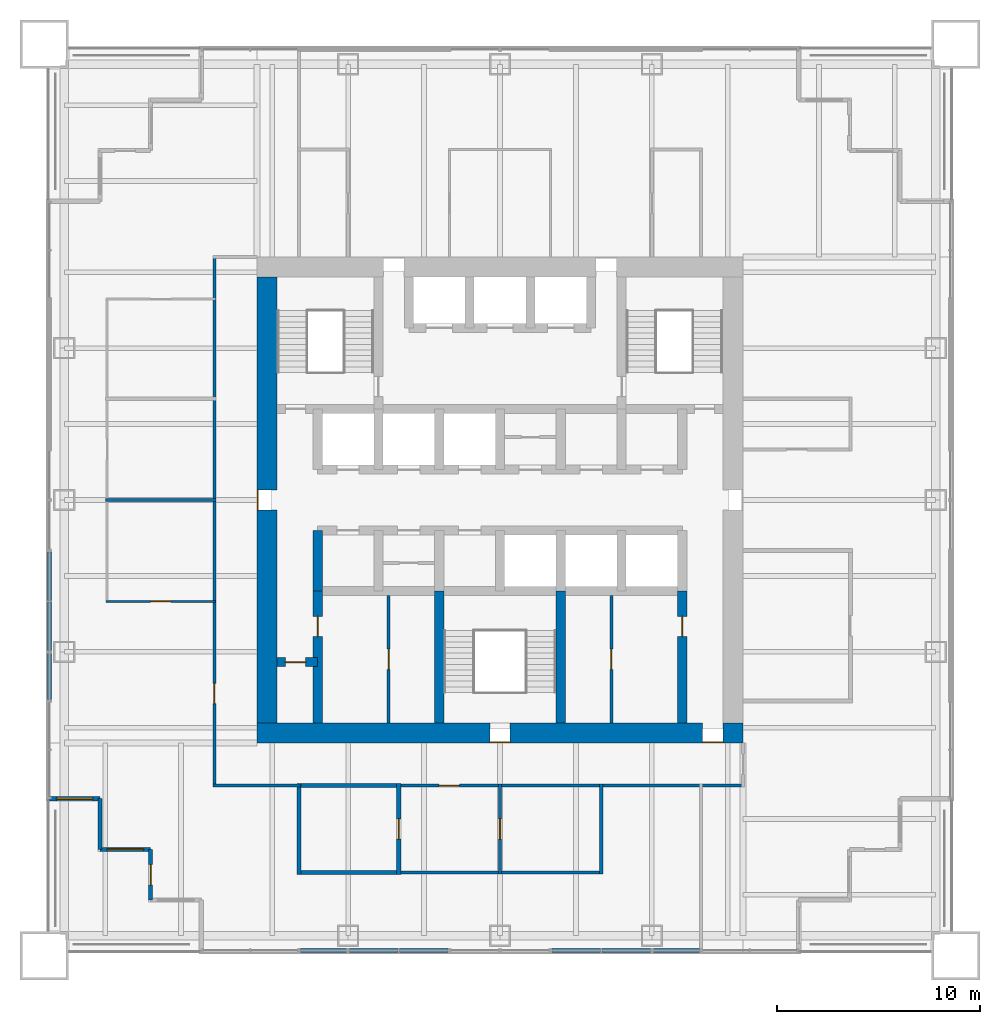
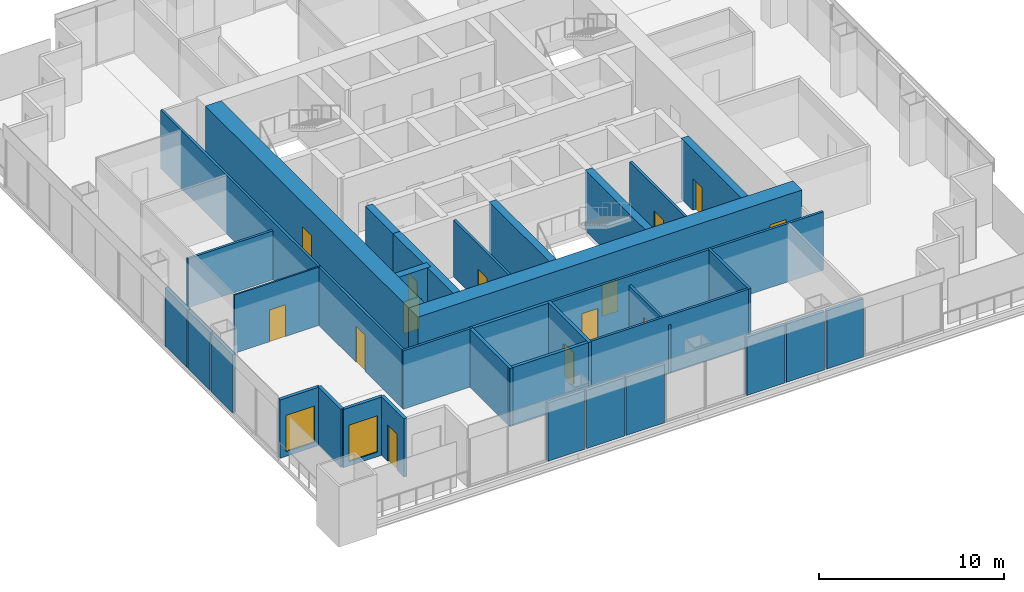
# One storey, part 8 of 13: 35 walls, 14 doors, 2 windows, 16 openings.
"""IFC4 building model written with IfcOpenShell, lengths in metres."""

import ifcopenshell
import ifcopenshell.guid

model = None  # the IFC model being written
_history = None  # IfcOwnerHistory: only IFC2X3 demands one
_inside = {}  # id of a spatial element -> (the spatial element, [elements in it])
_under = {}  # id of a project, library or spatial element -> (it, [spatial elements below it])
_declared = {}  # id of a project -> (the project, [libraries it declares])
_typed = {}  # id of a type object -> (the type object, [elements of that type])
_made_of = {}  # id of a material, layer set ... -> (it, [elements and type objects made of it])


def new_model(schema):
    """Start an empty IFC model of exactly this schema.

    Asked for "IFC4X3", IfcOpenShell would pick the latest addendum, in which some entities
    have other attributes; the version numbers below select the first issue.
    IFC2X3 requires an IfcOwnerHistory on every rooted entity: one is made here for all.
    """
    global model, _history
    if schema == "IFC4X3":
        model = ifcopenshell.file(schema_version=(4, 3, 0, 0))
    else:
        model = ifcopenshell.file(schema=schema)
    _inside.clear()
    _under.clear()
    _declared.clear()
    _typed.clear()
    _made_of.clear()
    _history = None
    if model.schema == "IFC2X3":
        org = make("IfcOrganization", Name="unknown")
        user = make(
            "IfcPersonAndOrganization",
            ThePerson=make("IfcPerson", FamilyName="unknown"),
            TheOrganization=org,
        )
        app = make(
            "IfcApplication",
            ApplicationDeveloper=org,
            Version="unknown",
            ApplicationFullName="unknown",
            ApplicationIdentifier="unknown",
        )
        _history = make(
            "IfcOwnerHistory",
            OwningUser=user,
            OwningApplication=app,
            ChangeAction="ADDED",
            CreationDate=0,
        )
    return model


def make(cls, **values):
    """One entity of the class cls with the attributes given. An attribute that is None is left unset."""
    return model.create_entity(
        cls, **{name: value for name, value in values.items() if value is not None}
    )


def rooted(cls, **values):
    """An entity with a GlobalId (a new one), such as an element, a storey or a relation."""
    return make(cls, GlobalId=ifcopenshell.guid.new(), OwnerHistory=_history, **values)


def si_unit(unit_type, name, prefix=None):
    """IfcSIUnit, for example si_unit("LENGTHUNIT", "METRE", prefix="MILLI")."""
    return make("IfcSIUnit", UnitType=unit_type, Prefix=prefix, Name=name)


def assignment(units):
    """IfcUnitAssignment: the units of a project."""
    return None if units is None else make("IfcUnitAssignment", Units=units)


def point(xyz):
    """IfcCartesianPoint."""
    return None if xyz is None else make("IfcCartesianPoint", Coordinates=xyz)


def direction(xyz):
    """IfcDirection."""
    return None if xyz is None else make("IfcDirection", DirectionRatios=xyz)


def frame(location, z_axis=None, x_axis=None):
    """IfcAxis2Placement3D, a coordinate frame: its origin and axes. An axis left out is left unset."""
    return make(
        "IfcAxis2Placement3D",
        Location=point(location),
        Axis=direction(z_axis),
        RefDirection=direction(x_axis),
    )


def frame_2d(location, x_axis=None):
    """IfcAxis2Placement2D, a coordinate frame in the plane: its origin and x axis."""
    return make(
        "IfcAxis2Placement2D", Location=point(location), RefDirection=direction(x_axis)
    )


def origin():
    """The frame at (0, 0, 0) with its axes left unset."""
    return frame((0.0, 0.0, 0.0))


def place(relative_to, where):
    """IfcLocalPlacement: puts the frame where relative to a parent placement (None: the world)."""
    return make(
        "IfcLocalPlacement", PlacementRelTo=relative_to, RelativePlacement=where
    )


def context(
    kind, dimensions, precision=None, world=None, true_north=None, identifier=None
):
    """IfcGeometricRepresentationContext, for example the 3D "Model" context."""
    return make(
        "IfcGeometricRepresentationContext",
        ContextIdentifier=identifier,
        ContextType=kind,
        CoordinateSpaceDimension=dimensions,
        Precision=precision,
        WorldCoordinateSystem=world,
        TrueNorth=true_north,
    )


def subcontext(parent, identifier, kind, view, scale=None):
    """IfcGeometricRepresentationSubContext, for example "Body" below "Model"."""
    return make(
        "IfcGeometricRepresentationSubContext",
        ContextIdentifier=identifier,
        ContextType=kind,
        ParentContext=parent,
        TargetScale=scale,
        TargetView=view,
    )


def project(units=None, contexts=None):
    """IfcProject with its units and contexts."""
    return rooted(
        "IfcProject",
        Name="project",
        RepresentationContexts=contexts,
        UnitsInContext=assignment(units),
    )


def spatial(cls, under=None, at=None, **own):
    """A site, building, storey or space (cls), placed at a placement, below another one or the project."""
    s = rooted(cls, ObjectPlacement=at, **own)
    if under is not None:
        _under.setdefault(under.id(), (under, []))[1].append(s)
    return s


def profile(cls, at=None, kind="AREA", **sizes):
    """A parametric profile (cls). Its sizes go by their IFC names, for example OverallWidth=200.0."""
    return make(cls, ProfileType=kind, Position=at, **sizes)


def rectangle(**sizes):
    """IfcRectangleProfileDef."""
    return profile("IfcRectangleProfileDef", **sizes)


def extrude(swept, where, along, depth):
    """IfcExtrudedAreaSolid: the profile swept, set in the frame where, extruded along a direction by depth."""
    return make(
        "IfcExtrudedAreaSolid",
        SweptArea=swept,
        Position=where,
        ExtrudedDirection=direction(along),
        Depth=depth,
    )


def shape(context_of_items, identifier, shape_type, items):
    """IfcShapeRepresentation: the items that make up one representation, for example the "Body"."""
    return make(
        "IfcShapeRepresentation",
        ContextOfItems=context_of_items,
        RepresentationIdentifier=identifier,
        RepresentationType=shape_type,
        Items=items,
    )


def material(Name=None, Category=None):
    """IfcMaterial."""
    return make("IfcMaterial", Name=Name, Category=Category)


def layer(
    of_material, thickness, ventilated=None, Name=None, Category=None, Priority=None
):
    """IfcMaterialLayer: one layer of a wall or slab, of a material (None: an air gap)."""
    return make(
        "IfcMaterialLayer",
        Material=of_material,
        LayerThickness=thickness,
        IsVentilated=ventilated,
        Name=Name,
        Category=Category,
        Priority=Priority,
    )


def layer_set(layers, Name=None):
    """IfcMaterialLayerSet."""
    return make("IfcMaterialLayerSet", MaterialLayers=layers, LayerSetName=Name)


def made_of(thing, what):
    """Note that an element or type object is made of a material, layer set ...; save() writes the relation."""
    if what is not None:
        _made_of.setdefault(what.id(), (what, []))[1].append(thing)
    return thing


def type_object(cls, material=None, **own):
    """A type object (cls), such as IfcWallType, which elements share."""
    return made_of(rooted(cls, **own), material)


def element(
    cls,
    number,
    at=None,
    inside=None,
    cuts=None,
    type_object=None,
    material=None,
    context=None,
    identifier="Body",
    shape_type=None,
    held_by="IfcProductDefinitionShape",
    body=None,
    shapes=None,
    **own,
):
    """One element of the class cls, such as IfcWall. Its Tag is "e" and its number.

    at: its placement. inside: the storey or other place that contains it. cuts: it is an
    opening in that element (IfcRelVoidsElement). A single representation is given by context,
    identifier, shape_type and body (its items); several are given by shapes. held_by: the class
    of the entity that holds the representations. save() writes the other relations.
    """
    e = rooted(cls, Tag="e%d" % number, ObjectPlacement=at, **own)
    if body is not None:
        shapes = [shape(context, identifier, shape_type, body)]
    if shapes is not None:
        e.Representation = make(held_by, Representations=shapes)
    if inside is not None:
        _inside.setdefault(inside.id(), (inside, []))[1].append(e)
    if cuts is not None:
        rooted(
            "IfcRelVoidsElement", RelatingBuildingElement=cuts, RelatedOpeningElement=e
        )
    if type_object is not None:
        _typed.setdefault(type_object.id(), (type_object, []))[1].append(e)
    return made_of(e, material)


def fill(opening, filler):
    """IfcRelFillsElement: the door or window that sits in an opening."""
    return rooted(
        "IfcRelFillsElement",
        RelatingOpeningElement=opening,
        RelatedBuildingElement=filler,
    )


def aggregate(whole, parts):
    """IfcRelAggregates: a whole, such as a stair, and the parts it consists of."""
    return rooted("IfcRelAggregates", RelatingObject=whole, RelatedObjects=parts)


def save(model, path):
    """Write the relations noted so far, then the file.

    IfcRelAggregates (storeys below a building ...), IfcRelContainedInSpatialStructure (elements
    in a storey), IfcRelDefinesByType, IfcRelAssociatesMaterial and IfcRelDeclares: one each for
    every whole, place, type object, material and project.
    """
    for whole, parts in _under.values():
        aggregate(whole, parts)
    for where, things in _inside.values():
        rooted(
            "IfcRelContainedInSpatialStructure",
            RelatedElements=things,
            RelatingStructure=where,
        )
    for kind, things in _typed.values():
        rooted("IfcRelDefinesByType", RelatedObjects=things, RelatingType=kind)
    for what, things in _made_of.values():
        rooted("IfcRelAssociatesMaterial", RelatedObjects=things, RelatingMaterial=what)
    for by, libraries in _declared.values():
        rooted("IfcRelDeclares", RelatingContext=by, RelatedDefinitions=libraries)
    model.write(path)


model = new_model("IFC4")

# Units and contexts
model_context = context("Model", 3, precision=1e-05, world=origin(), true_north=direction((0.0, 1.0)))
body_context = subcontext(model_context, "Body", "Model", "MODEL_VIEW")
ifc_project = project(units=[si_unit("LENGTHUNIT", "METRE"), si_unit("AREAUNIT", "SQUARE_METRE"), si_unit("VOLUMEUNIT", "CUBIC_METRE"), si_unit("PLANEANGLEUNIT", "RADIAN"), si_unit("MASSUNIT", "GRAM", prefix="KILO")], contexts=[model_context])

# Site, building, storey
site_placement = place(None, origin())
site = spatial("IfcSite", under=ifc_project, at=site_placement, CompositionType="ELEMENT")
building_placement = place(site_placement, origin())
building = spatial("IfcBuilding", under=site, at=building_placement, Name="Tarangal Relay Tower", CompositionType="ELEMENT")
storey_placement = place(building_placement, frame((0.0, 0.0, 237.89990234375)))
storey = spatial("IfcBuildingStorey", under=building, at=storey_placement, Name="L51", CompositionType="ELEMENT", Elevation=237.89990234375)

# Walls
ifc_material_1 = material(Name="Two layers gypsum board each side on twin steel studs, mineral wool", Category="steel")
ifc_layer_1 = layer(ifc_material_1, 0.199951171875)
ifc_layer_set_1 = layer_set([ifc_layer_1], Name="Acoustic partition 200")
wall_type_1 = type_object("IfcWallType", Name="Acoustic partition 200", PredefinedType="PARTITIONING", material=ifc_layer_set_1)
for number, where, z_axis, x_axis, name in (
    (1, (-10.01708984375, -18.39990234375, 0.0), (0.0, 0.0, 1.0), (1.0, 0.0, 0.0), "Partition PT2 L51"),
    (2, (-10.01708984375, -14.10009765625, 0.0), (0.0, 0.0, 1.0), (1.0, 0.0, 0.0), "Partition PT2 L51"),
):
    element("IfcWall", number, at=place(storey_placement, frame(where, z_axis=z_axis, x_axis=x_axis)), inside=storey, type_object=wall_type_1, Name=name, PredefinedType="PARTITIONING", context=body_context, shape_type="SweptSolid", body=[
        extrude(rectangle(XDim=5.1171875, YDim=0.199951171875, at=frame_2d((2.55859375, 0.0))), origin(), (0.0, 0.0, 1.0), 3.85009765625),
    ])
wall_1_placement = place(storey_placement, frame((-9.9169921875, -18.5, 0.0), z_axis=(0.0, 0.0, 1.0), x_axis=(0.0, 1.0, 0.0)))
element("IfcWall", 3, at=wall_1_placement, inside=storey, type_object=wall_type_1, Name="Partition PT2 L51", PredefinedType="PARTITIONING", context=body_context, shape_type="SweptSolid", body=[
    extrude(rectangle(XDim=4.5, YDim=0.199951171875, at=frame_2d((2.25, 0.0))), origin(), (0.0, 0.0, 1.0), 3.85009765625),
])

# Wall, opening, door
wall_2_placement = place(storey_placement, frame((-5.0, -18.5, 0.0), z_axis=(0.0, 0.0, 1.0), x_axis=(0.0, 1.0, 0.0)))
wall_2 = element("IfcWall", 4, at=wall_2_placement, inside=storey, type_object=wall_type_1, Name="Partition PT2 L51", PredefinedType="PARTITIONING", context=body_context, shape_type="SweptSolid", body=[
    extrude(rectangle(XDim=4.5, YDim=0.199951171875, at=frame_2d((2.25, 0.0))), origin(), (0.0, 0.0, 1.0), 3.85009765625),
])
opening_1_placement = place(wall_2_placement, frame((1.75, 0.0, 0.0)))
opening_1 = element("IfcOpeningElement", 5, at=opening_1_placement, cuts=wall_2, Name="Opening D2", PredefinedType="OPENING", context=body_context, shape_type="SweptSolid", body=[
    extrude(rectangle(XDim=1.0, YDim=2.10009765625, at=frame_2d((0.5, 1.050048828125))), frame((0.0, 0.10986328125, 0.0), z_axis=(0.0, -1.0, 0.0), x_axis=(1.0, 0.0, 0.0)), (0.0, 0.0, 1.0), 0.219970703125),
])
ifc_material_2 = material(Name="Hardwood door", Category="wood")
door_type_1 = type_object("IfcDoorType", Name="Door 1000 x 2100", OperationType="SINGLE_SWING_LEFT", PredefinedType="DOOR", material=ifc_material_2)
door_1_placement = place(opening_1_placement, origin())
door_1 = element("IfcDoor", 6, at=door_1_placement, inside=storey, type_object=door_type_1, Name="Door D2 to quiet room L51-09", OperationType="SINGLE_SWING_LEFT", OverallHeight=2.10009765625, OverallWidth=1.0, PredefinedType="DOOR", context=body_context, shape_type="SweptSolid", body=[
    extrude(rectangle(XDim=1.0, YDim=2.10009765625, at=frame_2d((0.5, 1.050048828125))), frame((0.0, 0.02490234375, 0.0), z_axis=(0.0, -1.0, 0.0), x_axis=(1.0, 0.0, 0.0)), (0.0, 0.0, 1.0), 0.050048828125),
])
fill(opening_1, door_1)

ifc_material_3 = material(Name="Concrete fc' 60 MPa", Category="concrete")
ifc_layer_2 = layer(ifc_material_3, 0.449951171875)
ifc_layer_set_2 = layer_set([ifc_layer_2], Name="Core inner wall 450")
wall_type_2 = type_object("IfcWallType", Name="Core inner wall 450", PredefinedType="SHEAR", material=ifc_layer_set_2)
wall_3_placement = place(storey_placement, frame((-11.0, -8.0, 0.0), z_axis=(0.0, 0.0, 1.0), x_axis=(1.0, 0.0, 0.0)))
wall_3 = element("IfcWall", 7, at=wall_3_placement, inside=storey, type_object=wall_type_2, Name="Core wall YM8 L51", PredefinedType="SHEAR", context=body_context, shape_type="SweptSolid", body=[
    extrude(rectangle(XDim=2.0, YDim=0.449951171875, at=frame_2d((1.0, 0.0))), origin(), (0.0, 0.0, 1.0), 4.0),
])
opening_2_placement = place(wall_3_placement, frame((0.39990234375, 0.0, 0.0)))
opening_2 = element("IfcOpeningElement", 8, at=opening_2_placement, cuts=wall_3, Name="Opening D1", PredefinedType="OPENING", context=body_context, shape_type="SweptSolid", body=[
    extrude(rectangle(XDim=1.0, YDim=2.10009765625, at=frame_2d((0.5, 1.050048828125))), frame((0.0, 0.23486328125, 0.0), z_axis=(0.0, -1.0, 0.0), x_axis=(1.0, 0.0, 0.0)), (0.0, 0.0, 1.0), 0.469970703125),
])
door_type_2 = type_object("IfcDoorType", Name="WC door 1000 x 2100", OperationType="SINGLE_SWING_LEFT", PredefinedType="DOOR", material=ifc_material_2)
door_2_placement = place(opening_2_placement, origin())
door_2 = element("IfcDoor", 9, at=door_2_placement, inside=storey, type_object=door_type_2, Name="Accessible WC door L51", OperationType="SINGLE_SWING_LEFT", OverallHeight=2.10009765625, OverallWidth=1.0, PredefinedType="DOOR", context=body_context, shape_type="SweptSolid", body=[
    extrude(rectangle(XDim=1.0, YDim=2.10009765625, at=frame_2d((0.5, 1.050048828125))), frame((0.0, 0.02490234375, 0.0), z_axis=(0.0, -1.0, 0.0), x_axis=(1.0, 0.0, 0.0)), (0.0, 0.0, 1.0), 0.050048828125),
])
fill(opening_2, door_2)

# Wall
wall_4_placement = place(storey_placement, frame((-9.0, -4.5, 0.0), z_axis=(0.0, 0.0, 1.0), x_axis=(0.0, 1.0, 0.0)))
element("IfcWall", 10, at=wall_4_placement, inside=storey, type_object=wall_type_2, Name="Core wall XM9S L51", PredefinedType="SHEAR", context=body_context, shape_type="SweptSolid", body=[
    extrude(rectangle(XDim=3.0, YDim=0.449951171875, at=frame_2d((1.5, 0.0))), origin(), (0.0, 0.0, 1.0), 4.0),
])

# Wall, opening, door
wall_5_placement = place(storey_placement, frame((-9.0, -11.0, 0.0), z_axis=(0.0, 0.0, 1.0), x_axis=(0.0, 1.0, 0.0)))
wall_5 = element("IfcWall", 11, at=wall_5_placement, inside=storey, type_object=wall_type_2, Name="Core wall XM9W L51", PredefinedType="SHEAR", context=body_context, shape_type="SweptSolid", body=[
    extrude(rectangle(XDim=6.5, YDim=0.449951171875, at=frame_2d((3.25, 0.0))), origin(), (0.0, 0.0, 1.0), 4.0),
])
opening_3_placement = place(wall_5_placement, frame((4.25, 0.0, 0.0)))
opening_3 = element("IfcOpeningElement", 12, at=opening_3_placement, cuts=wall_5, Name="Opening D1", PredefinedType="OPENING", context=body_context, shape_type="SweptSolid", body=[
    extrude(rectangle(XDim=1.0, YDim=2.10009765625, at=frame_2d((0.5, 1.050048828125))), frame((0.0, 0.23486328125, 0.0), z_axis=(0.0, -1.0, 0.0), x_axis=(1.0, 0.0, 0.0)), (0.0, 0.0, 1.0), 0.469970703125),
])
door_3_placement = place(opening_3_placement, origin())
door_3 = element("IfcDoor", 13, at=door_3_placement, inside=storey, type_object=door_type_2, Name="Male WC door L51", OperationType="SINGLE_SWING_LEFT", OverallHeight=2.10009765625, OverallWidth=1.0, PredefinedType="DOOR", context=body_context, shape_type="SweptSolid", body=[
    extrude(rectangle(XDim=1.0, YDim=2.10009765625, at=frame_2d((0.5, 1.050048828125))), frame((0.0, 0.02490234375, 0.0), z_axis=(0.0, -1.0, 0.0), x_axis=(1.0, 0.0, 0.0)), (0.0, 0.0, 1.0), 0.050048828125),
])
fill(opening_3, door_3)

wall_6_placement = place(storey_placement, frame((9.0, -11.0, 0.0), z_axis=(0.0, 0.0, 1.0), x_axis=(0.0, 1.0, 0.0)))
wall_6 = element("IfcWall", 14, at=wall_6_placement, inside=storey, type_object=wall_type_2, Name="Core wall X9W L51", PredefinedType="SHEAR", context=body_context, shape_type="SweptSolid", body=[
    extrude(rectangle(XDim=6.5, YDim=0.449951171875, at=frame_2d((3.25, 0.0))), origin(), (0.0, 0.0, 1.0), 4.0),
])
opening_4_placement = place(wall_6_placement, frame((4.25, 0.0, 0.0)))
opening_4 = element("IfcOpeningElement", 15, at=opening_4_placement, cuts=wall_6, Name="Opening D1", PredefinedType="OPENING", context=body_context, shape_type="SweptSolid", body=[
    extrude(rectangle(XDim=1.0, YDim=2.10009765625, at=frame_2d((0.5, 1.050048828125))), frame((0.0, 0.23486328125, 0.0), z_axis=(0.0, -1.0, 0.0), x_axis=(1.0, 0.0, 0.0)), (0.0, 0.0, 1.0), 0.469970703125),
])
door_4_placement = place(opening_4_placement, origin())
door_4 = element("IfcDoor", 16, at=door_4_placement, inside=storey, type_object=door_type_2, Name="Female WC door L51", OperationType="SINGLE_SWING_LEFT", OverallHeight=2.10009765625, OverallWidth=1.0, PredefinedType="DOOR", context=body_context, shape_type="SweptSolid", body=[
    extrude(rectangle(XDim=1.0, YDim=2.10009765625, at=frame_2d((0.5, 1.050048828125))), frame((0.0, 0.02490234375, 0.0), z_axis=(0.0, -1.0, 0.0), x_axis=(1.0, 0.0, 0.0)), (0.0, 0.0, 1.0), 0.050048828125),
])
fill(opening_4, door_4)

# Walls
for number, where, z_axis, x_axis, name in (
    (17, (-3.0, -11.0, 0.0), (0.0, 0.0, 1.0), (0.0, 1.0, 0.0), "Core wall XM3W L51"),
    (18, (3.0, -11.0, 0.0), (0.0, 0.0, 1.0), (0.0, 1.0, 0.0), "Core wall X3W L51"),
):
    element("IfcWall", number, at=place(storey_placement, frame(where, z_axis=z_axis, x_axis=x_axis)), inside=storey, type_object=wall_type_2, Name=name, PredefinedType="SHEAR", context=body_context, shape_type="SweptSolid", body=[
        extrude(rectangle(XDim=6.5, YDim=0.449951171875, at=frame_2d((3.25, 0.0))), origin(), (0.0, 0.0, 1.0), 4.0),
    ])

# Wall, openings, doors
ifc_layer_3 = layer(ifc_material_3, 1.0)
ifc_layer_set_3 = layer_set([ifc_layer_3], Name="Core wall 1000")
wall_type_3 = type_object("IfcWallType", Name="Core wall 1000", PredefinedType="SHEAR", material=ifc_layer_set_3)
wall_7_placement = place(storey_placement, frame((12.0, -11.5, 0.0), z_axis=(0.0, 0.0, 1.0), x_axis=(-1.0, 0.0, 0.0)))
wall_7 = element("IfcWall", 19, at=wall_7_placement, inside=storey, type_object=wall_type_3, Name="Core wall S L51", PredefinedType="SHEAR", context=body_context, shape_type="SweptSolid", body=[
    extrude(rectangle(XDim=24.0, YDim=1.0, at=frame_2d((12.0, 0.0))), origin(), (0.0, 0.0, 1.0), 4.0),
])
opening_5_placement = place(wall_7_placement, frame((11.5, 0.0, 0.0)))
opening_5 = element("IfcOpeningElement", 20, at=opening_5_placement, cuts=wall_7, Name="Opening FD1", PredefinedType="OPENING", context=body_context, shape_type="SweptSolid", body=[
    extrude(rectangle(XDim=1.0, YDim=2.10009765625, at=frame_2d((0.5, 1.050048828125))), frame((0.0, 0.510009765625, 0.0), z_axis=(0.0, -1.0, 0.0), x_axis=(1.0, 0.0, 0.0)), (0.0, 0.0, 1.0), 1.02001953125),
])
opening_6_placement = place(wall_7_placement, frame((1.0, 0.0, 0.0)))
opening_6 = element("IfcOpeningElement", 21, at=opening_6_placement, cuts=wall_7, Name="Opening FD3", PredefinedType="OPENING", context=body_context, shape_type="SweptSolid", body=[
    extrude(rectangle(XDim=1.0, YDim=2.39990234375, at=frame_2d((0.5, 1.199951171875))), frame((0.0, 0.510009765625, 0.0), z_axis=(0.0, -1.0, 0.0), x_axis=(1.0, 0.0, 0.0)), (0.0, 0.0, 1.0), 1.02001953125),
])
ifc_material_4 = material(Name="Steel door with hardwood frame", Category="steel")
door_type_3 = type_object("IfcDoorType", Name="Fire door 1000 x 2100", OperationType="SINGLE_SWING_LEFT", PredefinedType="DOOR", material=ifc_material_4)
door_5_placement = place(opening_5_placement, origin())
door_5 = element("IfcDoor", 22, at=door_5_placement, inside=storey, type_object=door_type_3, Name="Stair ST-C door L51", OperationType="SINGLE_SWING_LEFT", OverallHeight=2.10009765625, OverallWidth=1.0, PredefinedType="DOOR", context=body_context, shape_type="SweptSolid", body=[
    extrude(rectangle(XDim=1.0, YDim=2.10009765625, at=frame_2d((0.5, 1.050048828125))), frame((0.0, 0.48486328125, 0.0), z_axis=(0.0, -1.0, 0.0), x_axis=(1.0, 0.0, 0.0)), (0.0, 0.0, 1.0), 0.050048828125),
])
fill(opening_5, door_5)
door_type_4 = type_object("IfcDoorType", Name="Fire door 1000 x 2400 core entry", OperationType="SINGLE_SWING_RIGHT", PredefinedType="DOOR", material=ifc_material_4)
door_6_placement = place(opening_6_placement, origin())
door_6 = element("IfcDoor", 23, at=door_6_placement, inside=storey, type_object=door_type_4, Name="Core entry door south east L51", OperationType="SINGLE_SWING_RIGHT", OverallHeight=2.39990234375, OverallWidth=1.0, PredefinedType="DOOR", context=body_context, shape_type="SweptSolid", body=[
    extrude(rectangle(XDim=1.0, YDim=2.39990234375, at=frame_2d((0.5, 1.199951171875))), frame((0.0, 0.48486328125, 0.0), z_axis=(0.0, -1.0, 0.0), x_axis=(1.0, 0.0, 0.0)), (0.0, 0.0, 1.0), 0.050048828125),
])
fill(opening_6, door_6)

# Wall, opening, door
wall_8_placement = place(storey_placement, frame((-11.5, -11.0, 0.0), z_axis=(0.0, 0.0, 1.0), x_axis=(0.0, 1.0, 0.0)))
wall_8 = element("IfcWall", 24, at=wall_8_placement, inside=storey, type_object=wall_type_3, Name="Core wall W L51", PredefinedType="SHEAR", context=body_context, shape_type="SweptSolid", body=[
    extrude(rectangle(XDim=22.0, YDim=1.0, at=frame_2d((11.0, 0.0))), origin(), (0.0, 0.0, 1.0), 4.0),
])
opening_7_placement = place(wall_8_placement, frame((10.5, 0.0, 0.0)))
opening_7 = element("IfcOpeningElement", 25, at=opening_7_placement, cuts=wall_8, Name="Opening FD3", PredefinedType="OPENING", context=body_context, shape_type="SweptSolid", body=[
    extrude(rectangle(XDim=1.0, YDim=2.39990234375, at=frame_2d((0.5, 1.199951171875))), frame((0.0, 0.510009765625, 0.0), z_axis=(0.0, -1.0, 0.0), x_axis=(1.0, 0.0, 0.0)), (0.0, 0.0, 1.0), 1.02001953125),
])
door_7_placement = place(opening_7_placement, origin())
door_7 = element("IfcDoor", 26, at=door_7_placement, inside=storey, type_object=door_type_4, Name="Core entry door west L51", OperationType="SINGLE_SWING_RIGHT", OverallHeight=2.39990234375, OverallWidth=1.0, PredefinedType="DOOR", context=body_context, shape_type="SweptSolid", body=[
    extrude(rectangle(XDim=1.0, YDim=2.39990234375, at=frame_2d((0.5, 1.199951171875))), frame((0.0, 0.48486328125, 0.0), z_axis=(0.0, -1.0, 0.0), x_axis=(1.0, 0.0, 0.0)), (0.0, 0.0, 1.0), 0.050048828125),
])
fill(opening_7, door_7)

ifc_material_5 = material(Name="Black metal clad insulated wall", Category="steel")
ifc_layer_4 = layer(ifc_material_5, 0.199951171875)
ifc_layer_set_4 = layer_set([ifc_layer_4], Name="Corner wall metal clad 200")
wall_type_4 = type_object("IfcWallType", Name="Corner wall metal clad 200", PredefinedType="SOLIDWALL", material=ifc_layer_set_4)
wall_9_placement = place(storey_placement, frame((-17.25, -19.75, 0.0), z_axis=(0.0, 0.0, 1.0), x_axis=(0.0, 1.0, 0.0)))
wall_9 = element("IfcWall", 27, at=wall_9_placement, inside=storey, type_object=wall_type_4, Name="Facade wall S facade L51", PredefinedType="SOLIDWALL", context=body_context, shape_type="SweptSolid", body=[
    extrude(rectangle(XDim=2.5, YDim=0.199951171875, at=frame_2d((1.25, 0.0))), origin(), (0.0, 0.0, 1.0), 3.85009765625),
])
opening_8_placement = place(wall_9_placement, frame((0.75, 0.0, 0.0)))
opening_8 = element("IfcOpeningElement", 28, at=opening_8_placement, cuts=wall_9, Name="Opening TD1", PredefinedType="OPENING", context=body_context, shape_type="SweptSolid", body=[
    extrude(rectangle(XDim=1.0, YDim=2.39990234375, at=frame_2d((0.5, 1.199951171875))), frame((0.0, 0.10986328125, 0.0), z_axis=(0.0, -1.0, 0.0), x_axis=(1.0, 0.0, 0.0)), (0.0, 0.0, 1.0), 0.219970703125),
])
ifc_material_6 = material(Name="Aluminium glazed door", Category="aluminium")
door_type_5 = type_object("IfcDoorType", Name="Terrace door 1000 x 2400", OperationType="SINGLE_SWING_RIGHT", PredefinedType="DOOR", material=ifc_material_6)
door_8_placement = place(opening_8_placement, origin())
door_8 = element("IfcDoor", 29, at=door_8_placement, inside=storey, type_object=door_type_5, Name="Terrace door TD1 SW L51", OperationType="SINGLE_SWING_RIGHT", OverallHeight=2.39990234375, OverallWidth=1.0, PredefinedType="DOOR", context=body_context, shape_type="SweptSolid", body=[
    extrude(rectangle(XDim=1.0, YDim=2.39990234375, at=frame_2d((0.5, 1.199951171875))), frame((0.0, 0.02490234375, 0.0), z_axis=(0.0, -1.0, 0.0), x_axis=(1.0, 0.0, 0.0)), (0.0, 0.0, 1.0), 0.050048828125),
])
fill(opening_8, door_8)

# Wall, opening, window
wall_10_placement = place(storey_placement, frame((-17.25, -17.25, 0.0), z_axis=(0.0, 0.0, 1.0), x_axis=(-1.0, 0.0, 0.0)))
wall_10 = element("IfcWall", 30, at=wall_10_placement, inside=storey, type_object=wall_type_4, Name="Facade wall S facade L51", PredefinedType="SOLIDWALL", context=body_context, shape_type="SweptSolid", body=[
    extrude(rectangle(XDim=2.5, YDim=0.199951171875, at=frame_2d((1.25, 0.0))), origin(), (0.0, 0.0, 1.0), 3.85009765625),
])
opening_9_placement = place(wall_10_placement, frame((0.35009765625, 0.0, 0.300048828125)))
opening_9 = element("IfcOpeningElement", 31, at=opening_9_placement, cuts=wall_10, Name="Opening WN2", PredefinedType="OPENING", context=body_context, shape_type="SweptSolid", body=[
    extrude(rectangle(XDim=1.800048828125, YDim=2.39990234375, at=frame_2d((0.89990234375, 1.199951171875))), frame((0.0, 0.10986328125, 0.0), z_axis=(0.0, -1.0, 0.0), x_axis=(1.0, 0.0, 0.0)), (0.0, 0.0, 1.0), 0.219970703125),
])
ifc_material_7 = material(Name="Dark tinted double glazing in black aluminium frame", Category="aluminium")
window_type = type_object("IfcWindowType", Name="Corner window 1800 x 2400", PartitioningType="SINGLE_PANEL", PredefinedType="WINDOW", material=ifc_material_7)
window_1_placement = place(opening_9_placement, origin())
window_1 = element("IfcWindow", 32, at=window_1_placement, inside=storey, type_object=window_type, Name="Corner window WN2 S facade L51", OverallHeight=2.39990234375, OverallWidth=1.800048828125, PartitioningType="SINGLE_PANEL", PredefinedType="WINDOW", context=body_context, shape_type="SweptSolid", body=[
    extrude(rectangle(XDim=1.800048828125, YDim=2.39990234375, at=frame_2d((0.89990234375, 1.199951171875))), frame((0.0, 0.030029296875, 0.0), z_axis=(0.0, -1.0, 0.0), x_axis=(1.0, 0.0, 0.0)), (0.0, 0.0, 1.0), 0.06005859375),
])
fill(opening_9, window_1)

# Wall
wall_11_placement = place(storey_placement, frame((-19.75, -17.25, 0.0), z_axis=(0.0, 0.0, 1.0), x_axis=(0.0, 1.0, 0.0)))
element("IfcWall", 33, at=wall_11_placement, inside=storey, type_object=wall_type_4, Name="Facade wall S facade L51", PredefinedType="SOLIDWALL", context=body_context, shape_type="SweptSolid", body=[
    extrude(rectangle(XDim=2.5, YDim=0.199951171875, at=frame_2d((1.25, 0.0))), origin(), (0.0, 0.0, 1.0), 3.85009765625),
])

# Wall, opening, window
wall_12_placement = place(storey_placement, frame((-19.75, -14.75, 0.0), z_axis=(0.0, 0.0, 1.0), x_axis=(-1.0, 0.0, 0.0)))
wall_12 = element("IfcWall", 34, at=wall_12_placement, inside=storey, type_object=wall_type_4, Name="Facade wall S facade L51", PredefinedType="SOLIDWALL", context=body_context, shape_type="SweptSolid", body=[
    extrude(rectangle(XDim=2.5, YDim=0.199951171875, at=frame_2d((1.25, 0.0))), origin(), (0.0, 0.0, 1.0), 3.85009765625),
])
opening_10_placement = place(wall_12_placement, frame((0.35009765625, 0.0, 0.300048828125)))
opening_10 = element("IfcOpeningElement", 35, at=opening_10_placement, cuts=wall_12, Name="Opening WN2", PredefinedType="OPENING", context=body_context, shape_type="SweptSolid", body=[
    extrude(rectangle(XDim=1.800048828125, YDim=2.39990234375, at=frame_2d((0.89990234375, 1.199951171875))), frame((0.0, 0.10986328125, 0.0), z_axis=(0.0, -1.0, 0.0), x_axis=(1.0, 0.0, 0.0)), (0.0, 0.0, 1.0), 0.219970703125),
])
window_2_placement = place(opening_10_placement, origin())
window_2 = element("IfcWindow", 36, at=window_2_placement, inside=storey, type_object=window_type, Name="Corner window WN2 S facade L51", OverallHeight=2.39990234375, OverallWidth=1.800048828125, PartitioningType="SINGLE_PANEL", PredefinedType="WINDOW", context=body_context, shape_type="SweptSolid", body=[
    extrude(rectangle(XDim=1.800048828125, YDim=2.39990234375, at=frame_2d((0.89990234375, 1.199951171875))), frame((0.0, 0.030029296875, 0.0), z_axis=(0.0, -1.0, 0.0), x_axis=(1.0, 0.0, 0.0)), (0.0, 0.0, 1.0), 0.06005859375),
])
fill(opening_10, window_2)

# Walls
ifc_layer_5 = layer(ifc_material_5, 0.199951171875)
ifc_layer_set_5 = layer_set([ifc_layer_5], Name="Facade infill wall metal clad 200")
wall_type_5 = type_object("IfcWallType", Name="Facade infill wall metal clad 200", PredefinedType="SOLIDWALL", material=ifc_layer_set_5)
wall_13_placement = place(storey_placement, frame((9.851806640625, -22.25, 0.0), z_axis=(0.0, 0.0, 1.0), x_axis=(-1.0, 0.0, 0.0)))
element("IfcWall", 37, at=wall_13_placement, inside=storey, type_object=wall_type_5, Name="Facade infill wall S facade L51 1.1", PredefinedType="SOLIDWALL", context=body_context, shape_type="SweptSolid", body=[
    extrude(rectangle(XDim=2.286865234375, YDim=0.199951171875, at=frame_2d((1.1435546875, 0.0))), origin(), (0.0, 0.0, 1.0), 3.85009765625),
])
for number, where, z_axis, x_axis, name in (
    (38, (7.43505859375, -22.25, 0.0), (0.0, 0.0, 1.0), (-1.0, 0.0, 0.0), "Facade infill wall S facade L51 1.1"),
    (39, (4.967529296875, -22.25, 0.0), (0.0, 0.0, 1.0), (-1.0, 0.0, 0.0), "Facade infill wall S facade L51 2.1"),
    (40, (-2.56494140625, -22.25, 0.0), (0.0, 0.0, 1.0), (-1.0, 0.0, 0.0), "Facade infill wall S facade L51 1.1"),
    (41, (-5.032470703125, -22.25, 0.0), (0.0, 0.0, 1.0), (-1.0, 0.0, 0.0), "Facade infill wall S facade L51 2.1"),
):
    element("IfcWall", number, at=place(storey_placement, frame(where, z_axis=z_axis, x_axis=x_axis)), inside=storey, type_object=wall_type_5, Name=name, PredefinedType="SOLIDWALL", context=body_context, shape_type="SweptSolid", body=[
        extrude(rectangle(XDim=2.402587890625, YDim=0.199951171875, at=frame_2d((1.201171875, 0.0))), origin(), (0.0, 0.0, 1.0), 3.85009765625),
    ])
for number, where, z_axis, x_axis, name in (
    (42, (-7.56494140625, -22.25, 0.0), (0.0, 0.0, 1.0), (-1.0, 0.0, 0.0), "Facade infill wall S facade L51 1.1"),
    (43, (-22.25, -9.851806640625, 0.0), (0.0, 0.0, 1.0), (0.0, 1.0, 0.0), "Facade infill wall W facade L51 1.1"),
):
    element("IfcWall", number, at=place(storey_placement, frame(where, z_axis=z_axis, x_axis=x_axis)), inside=storey, type_object=wall_type_5, Name=name, PredefinedType="SOLIDWALL", context=body_context, shape_type="SweptSolid", body=[
        extrude(rectangle(XDim=2.286865234375, YDim=0.199951171875, at=frame_2d((1.1435546875, 0.0))), origin(), (0.0, 0.0, 1.0), 3.85009765625),
    ])
for number, where, z_axis, x_axis, name in (
    (44, (-22.25, -7.43505859375, 0.0), (0.0, 0.0, 1.0), (0.0, 1.0, 0.0), "Facade infill wall W facade L51 1.1"),
    (45, (-22.25, -4.967529296875, 0.0), (0.0, 0.0, 1.0), (0.0, 1.0, 0.0), "Facade infill wall W facade L51 2.1"),
):
    element("IfcWall", number, at=place(storey_placement, frame(where, z_axis=z_axis, x_axis=x_axis)), inside=storey, type_object=wall_type_5, Name=name, PredefinedType="SOLIDWALL", context=body_context, shape_type="SweptSolid", body=[
        extrude(rectangle(XDim=2.402587890625, YDim=0.199951171875, at=frame_2d((1.201171875, 0.0))), origin(), (0.0, 0.0, 1.0), 3.85009765625),
    ])

# Wall, opening, door
ifc_material_8 = material(Name="Double glazed aluminium framed partition", Category="aluminium")
ifc_layer_6 = layer(ifc_material_8, 0.10009765625)
ifc_layer_set_6 = layer_set([ifc_layer_6], Name="Glazed partition 100")
wall_type_6 = type_object("IfcWallType", Name="Glazed partition 100", PredefinedType="PARTITIONING", material=ifc_layer_set_6)
wall_14_placement = place(storey_placement, frame((-19.449951171875, -5.0, 0.0), z_axis=(0.0, 0.0, 1.0), x_axis=(1.0, 0.0, 0.0)))
wall_14 = element("IfcWall", 46, at=wall_14_placement, inside=storey, type_object=wall_type_6, Name="Partition PT3 L51", PredefinedType="PARTITIONING", context=body_context, shape_type="SweptSolid", body=[
    extrude(rectangle(XDim=5.39990234375, YDim=0.10009765625, at=frame_2d((2.699951171875, 0.0))), origin(), (0.0, 0.0, 1.0), 3.85009765625),
])
opening_11_placement = place(wall_14_placement, frame((2.199951171875, 0.0, 0.0)))
opening_11 = element("IfcOpeningElement", 47, at=opening_11_placement, cuts=wall_14, Name="Opening D3", PredefinedType="OPENING", context=body_context, shape_type="SweptSolid", body=[
    extrude(rectangle(XDim=1.0, YDim=2.10009765625, at=frame_2d((0.5, 1.050048828125))), frame((0.0, 0.06005859375, 0.0), z_axis=(0.0, -1.0, 0.0), x_axis=(1.0, 0.0, 0.0)), (0.0, 0.0, 1.0), 0.1201171875),
])
ifc_material_9 = material(Name="Frameless glass door", Category="glass")
door_type_6 = type_object("IfcDoorType", Name="Glazed door 1000 x 2100", OperationType="SINGLE_SWING_LEFT", PredefinedType="DOOR", material=ifc_material_9)
door_9_placement = place(opening_11_placement, origin())
door_9 = element("IfcDoor", 48, at=door_9_placement, inside=storey, type_object=door_type_6, Name="Door D3 to meeting room L51-10", OperationType="SINGLE_SWING_LEFT", OverallHeight=2.10009765625, OverallWidth=1.0, PredefinedType="DOOR", context=body_context, shape_type="SweptSolid", body=[
    extrude(rectangle(XDim=1.0, YDim=2.10009765625, at=frame_2d((0.5, 1.050048828125))), frame((0.0, 0.02490234375, 0.0), z_axis=(0.0, -1.0, 0.0), x_axis=(1.0, 0.0, 0.0)), (0.0, 0.0, 1.0), 0.050048828125),
])
fill(opening_11, door_9)

# Walls
ifc_material_10 = material(Name="Gypsum board on steel studs", Category="steel")
ifc_layer_7 = layer(ifc_material_10, 0.14990234375)
ifc_layer_set_7 = layer_set([ifc_layer_7], Name="Partition 150")
wall_type_7 = type_object("IfcWallType", Name="Partition 150", PredefinedType="PARTITIONING", material=ifc_layer_set_7)
wall_15_placement = place(storey_placement, frame((-5.074951171875, -18.39990234375, 0.0), z_axis=(0.0, 0.0, 1.0), x_axis=(1.0, 0.0, 0.0)))
element("IfcWall", 49, at=wall_15_placement, inside=storey, type_object=wall_type_7, Name="Partition PT1 L51", PredefinedType="PARTITIONING", context=body_context, shape_type="SweptSolid", body=[
    extrude(rectangle(XDim=10.14990234375, YDim=0.14990234375, at=frame_2d((5.074951171875, 0.0))), origin(), (0.0, 0.0, 1.0), 3.85009765625),
])
wall_16_placement = place(storey_placement, frame((-14.175048828125, -14.10009765625, 0.0), z_axis=(0.0, 0.0, 1.0), x_axis=(1.0, 0.0, 0.0)))
element("IfcWall", 50, at=wall_16_placement, inside=storey, type_object=wall_type_7, Name="Partition PT1 L51", PredefinedType="PARTITIONING", context=body_context, shape_type="SweptSolid", body=[
    extrude(rectangle(XDim=4.3330078125, YDim=0.14990234375, at=frame_2d((2.16650390625, 0.0))), origin(), (0.0, 0.0, 1.0), 3.85009765625),
])

# Wall, opening, door
wall_17_placement = place(storey_placement, frame((-5.074951171875, -14.10009765625, 0.0), z_axis=(0.0, 0.0, 1.0), x_axis=(1.0, 0.0, 0.0)))
wall_17 = element("IfcWall", 51, at=wall_17_placement, inside=storey, type_object=wall_type_7, Name="Partition PT1 L51", PredefinedType="PARTITIONING", context=body_context, shape_type="SweptSolid", body=[
    extrude(rectangle(XDim=17.14990234375, YDim=0.14990234375, at=frame_2d((8.574951171875, 0.0))), origin(), (0.0, 0.0, 1.0), 3.85009765625),
])
opening_12_placement = place(wall_17_placement, frame((2.074951171875, 0.0, 0.0)))
opening_12 = element("IfcOpeningElement", 52, at=opening_12_placement, cuts=wall_17, Name="Opening SD1", PredefinedType="OPENING", context=body_context, shape_type="SweptSolid", body=[
    extrude(rectangle(XDim=1.0, YDim=2.39990234375, at=frame_2d((0.5, 1.199951171875))), frame((0.0, 0.0849609375, 0.0), z_axis=(0.0, -1.0, 0.0), x_axis=(1.0, 0.0, 0.0)), (0.0, 0.0, 1.0), 0.169921875),
])
door_type_7 = type_object("IfcDoorType", Name="Suite entrance door 1000 x 2400", OperationType="SINGLE_SWING_RIGHT", PredefinedType="DOOR", material=ifc_material_4)
door_10_placement = place(opening_12_placement, origin())
door_10 = element("IfcDoor", 53, at=door_10_placement, inside=storey, type_object=door_type_7, Name="Door SD1 to reception L51-08", OperationType="SINGLE_SWING_RIGHT", OverallHeight=2.39990234375, OverallWidth=1.0, PredefinedType="DOOR", context=body_context, shape_type="SweptSolid", body=[
    extrude(rectangle(XDim=1.0, YDim=2.39990234375, at=frame_2d((0.5, 1.199951171875))), frame((0.0, 0.02490234375, 0.0), z_axis=(0.0, -1.0, 0.0), x_axis=(1.0, 0.0, 0.0)), (0.0, 0.0, 1.0), 0.050048828125),
])
fill(opening_12, door_10)

# Wall
wall_18_placement = place(storey_placement, frame((-19.47509765625, 0.0, 0.0), z_axis=(0.0, 0.0, 1.0), x_axis=(1.0, 0.0, 0.0)))
element("IfcWall", 54, at=wall_18_placement, inside=storey, type_object=wall_type_7, Name="Partition PT1 L51", PredefinedType="PARTITIONING", context=body_context, shape_type="SweptSolid", body=[
    extrude(rectangle(XDim=5.4501953125, YDim=0.14990234375, at=frame_2d((2.72509765625, 0.0))), origin(), (0.0, 0.0, 1.0), 3.238037109375),
])

# Wall, opening, door
wall_19_placement = place(storey_placement, frame((-14.10009765625, -14.175048828125, 0.0), z_axis=(0.0, 0.0, 1.0), x_axis=(0.0, 1.0, 0.0)))
wall_19 = element("IfcWall", 55, at=wall_19_placement, inside=storey, type_object=wall_type_7, Name="Partition PT1 L51", PredefinedType="PARTITIONING", context=body_context, shape_type="SweptSolid", body=[
    extrude(rectangle(XDim=26.25, YDim=0.14990234375, at=frame_2d((13.125, 0.0))), origin(), (0.0, 0.0, 1.0), 3.85009765625),
])
opening_13_placement = place(wall_19_placement, frame((4.125, 0.0, 0.0)))
opening_13 = element("IfcOpeningElement", 56, at=opening_13_placement, cuts=wall_19, Name="Opening SD1", PredefinedType="OPENING", context=body_context, shape_type="SweptSolid", body=[
    extrude(rectangle(XDim=1.0, YDim=2.39990234375, at=frame_2d((0.5, 1.199951171875))), frame((0.0, 0.0849609375, 0.0), z_axis=(0.0, -1.0, 0.0), x_axis=(1.0, 0.0, 0.0)), (0.0, 0.0, 1.0), 0.169921875),
])
door_11_placement = place(opening_13_placement, origin())
door_11 = element("IfcDoor", 57, at=door_11_placement, inside=storey, type_object=door_type_7, Name="Door SD1 to open plan office L51-14", OperationType="SINGLE_SWING_RIGHT", OverallHeight=2.39990234375, OverallWidth=1.0, PredefinedType="DOOR", context=body_context, shape_type="SweptSolid", body=[
    extrude(rectangle(XDim=1.0, YDim=2.39990234375, at=frame_2d((0.5, 1.199951171875))), frame((0.0, 0.02490234375, 0.0), z_axis=(0.0, -1.0, 0.0), x_axis=(1.0, 0.0, 0.0)), (0.0, 0.0, 1.0), 0.050048828125),
])
fill(opening_13, door_11)

wall_20_placement = place(storey_placement, frame((0.0, -18.47509765625, 0.0), z_axis=(0.0, 0.0, 1.0), x_axis=(0.0, 1.0, 0.0)))
wall_20 = element("IfcWall", 58, at=wall_20_placement, inside=storey, type_object=wall_type_7, Name="Partition PT1 L51", PredefinedType="PARTITIONING", context=body_context, shape_type="SweptSolid", body=[
    extrude(rectangle(XDim=4.4501953125, YDim=0.14990234375, at=frame_2d((2.22509765625, 0.0))), origin(), (0.0, 0.0, 1.0), 3.238037109375),
])
opening_14_placement = place(wall_20_placement, frame((1.72509765625, 0.0, 0.0)))
opening_14 = element("IfcOpeningElement", 59, at=opening_14_placement, cuts=wall_20, Name="Opening D2", PredefinedType="OPENING", context=body_context, shape_type="SweptSolid", body=[
    extrude(rectangle(XDim=1.0, YDim=2.10009765625, at=frame_2d((0.5, 1.050048828125))), frame((0.0, 0.0849609375, 0.0), z_axis=(0.0, -1.0, 0.0), x_axis=(1.0, 0.0, 0.0)), (0.0, 0.0, 1.0), 0.169921875),
])
door_12_placement = place(opening_14_placement, origin())
door_12 = element("IfcDoor", 60, at=door_12_placement, inside=storey, type_object=door_type_1, Name="Door D2 to tea pantry L51-07", OperationType="SINGLE_SWING_LEFT", OverallHeight=2.10009765625, OverallWidth=1.0, PredefinedType="DOOR", context=body_context, shape_type="SweptSolid", body=[
    extrude(rectangle(XDim=1.0, YDim=2.10009765625, at=frame_2d((0.5, 1.050048828125))), frame((0.0, 0.02490234375, 0.0), z_axis=(0.0, -1.0, 0.0), x_axis=(1.0, 0.0, 0.0)), (0.0, 0.0, 1.0), 0.050048828125),
])
fill(opening_14, door_12)

# Wall
wall_21_placement = place(storey_placement, frame((5.0, -18.47509765625, 0.0), z_axis=(0.0, 0.0, 1.0), x_axis=(0.0, 1.0, 0.0)))
element("IfcWall", 61, at=wall_21_placement, inside=storey, type_object=wall_type_7, Name="Partition PT1 L51", PredefinedType="PARTITIONING", context=body_context, shape_type="SweptSolid", body=[
    extrude(rectangle(XDim=4.4501953125, YDim=0.14990234375, at=frame_2d((2.22509765625, 0.0))), origin(), (0.0, 0.0, 1.0), 3.85009765625),
])

# Wall, opening, door
wall_22_placement = place(storey_placement, frame((-5.5, -11.0, 0.0), z_axis=(0.0, 0.0, 1.0), x_axis=(0.0, 1.0, 0.0)))
wall_22 = element("IfcWall", 62, at=wall_22_placement, inside=storey, type_object=wall_type_7, Name="Partition PT1 L51", PredefinedType="PARTITIONING", context=body_context, shape_type="SweptSolid", body=[
    extrude(rectangle(XDim=6.27490234375, YDim=0.14990234375, at=frame_2d((3.137451171875, 0.0))), origin(), (0.0, 0.0, 1.0), 3.75),
])
opening_15_placement = place(wall_22_placement, frame((2.637451171875, 0.0, 0.0)))
opening_15 = element("IfcOpeningElement", 63, at=opening_15_placement, cuts=wall_22, Name="Opening D1", PredefinedType="OPENING", context=body_context, shape_type="SweptSolid", body=[
    extrude(rectangle(XDim=1.0, YDim=2.10009765625, at=frame_2d((0.5, 1.050048828125))), frame((0.0, 0.0849609375, 0.0), z_axis=(0.0, -1.0, 0.0), x_axis=(1.0, 0.0, 0.0)), (0.0, 0.0, 1.0), 0.169921875),
])
door_13_placement = place(opening_15_placement, origin())
door_13 = element("IfcDoor", 64, at=door_13_placement, inside=storey, type_object=door_type_2, Name="Door D1 to male shower and changing room L51-C7B", OperationType="SINGLE_SWING_LEFT", OverallHeight=2.10009765625, OverallWidth=1.0, PredefinedType="DOOR", context=body_context, shape_type="SweptSolid", body=[
    extrude(rectangle(XDim=1.0, YDim=2.10009765625, at=frame_2d((0.5, 1.050048828125))), frame((0.0, 0.02490234375, 0.0), z_axis=(0.0, -1.0, 0.0), x_axis=(1.0, 0.0, 0.0)), (0.0, 0.0, 1.0), 0.050048828125),
])
fill(opening_15, door_13)

wall_23_placement = place(storey_placement, frame((5.5, -11.0, 0.0), z_axis=(0.0, 0.0, 1.0), x_axis=(0.0, 1.0, 0.0)))
wall_23 = element("IfcWall", 65, at=wall_23_placement, inside=storey, type_object=wall_type_7, Name="Partition PT1 L51", PredefinedType="PARTITIONING", context=body_context, shape_type="SweptSolid", body=[
    extrude(rectangle(XDim=6.27490234375, YDim=0.14990234375, at=frame_2d((3.137451171875, 0.0))), origin(), (0.0, 0.0, 1.0), 3.75),
])
opening_16_placement = place(wall_23_placement, frame((2.637451171875, 0.0, 0.0)))
opening_16 = element("IfcOpeningElement", 66, at=opening_16_placement, cuts=wall_23, Name="Opening D1", PredefinedType="OPENING", context=body_context, shape_type="SweptSolid", body=[
    extrude(rectangle(XDim=1.0, YDim=2.10009765625, at=frame_2d((0.5, 1.050048828125))), frame((0.0, 0.0849609375, 0.0), z_axis=(0.0, -1.0, 0.0), x_axis=(1.0, 0.0, 0.0)), (0.0, 0.0, 1.0), 0.169921875),
])
door_14_placement = place(opening_16_placement, origin())
door_14 = element("IfcDoor", 67, at=door_14_placement, inside=storey, type_object=door_type_2, Name="Door D1 to female shower and changing room L51-C10B", OperationType="SINGLE_SWING_LEFT", OverallHeight=2.10009765625, OverallWidth=1.0, PredefinedType="DOOR", context=body_context, shape_type="SweptSolid", body=[
    extrude(rectangle(XDim=1.0, YDim=2.10009765625, at=frame_2d((0.5, 1.050048828125))), frame((0.0, 0.02490234375, 0.0), z_axis=(0.0, -1.0, 0.0), x_axis=(1.0, 0.0, 0.0)), (0.0, 0.0, 1.0), 0.050048828125),
])
fill(opening_16, door_14)

save(model, "model.ifc")
